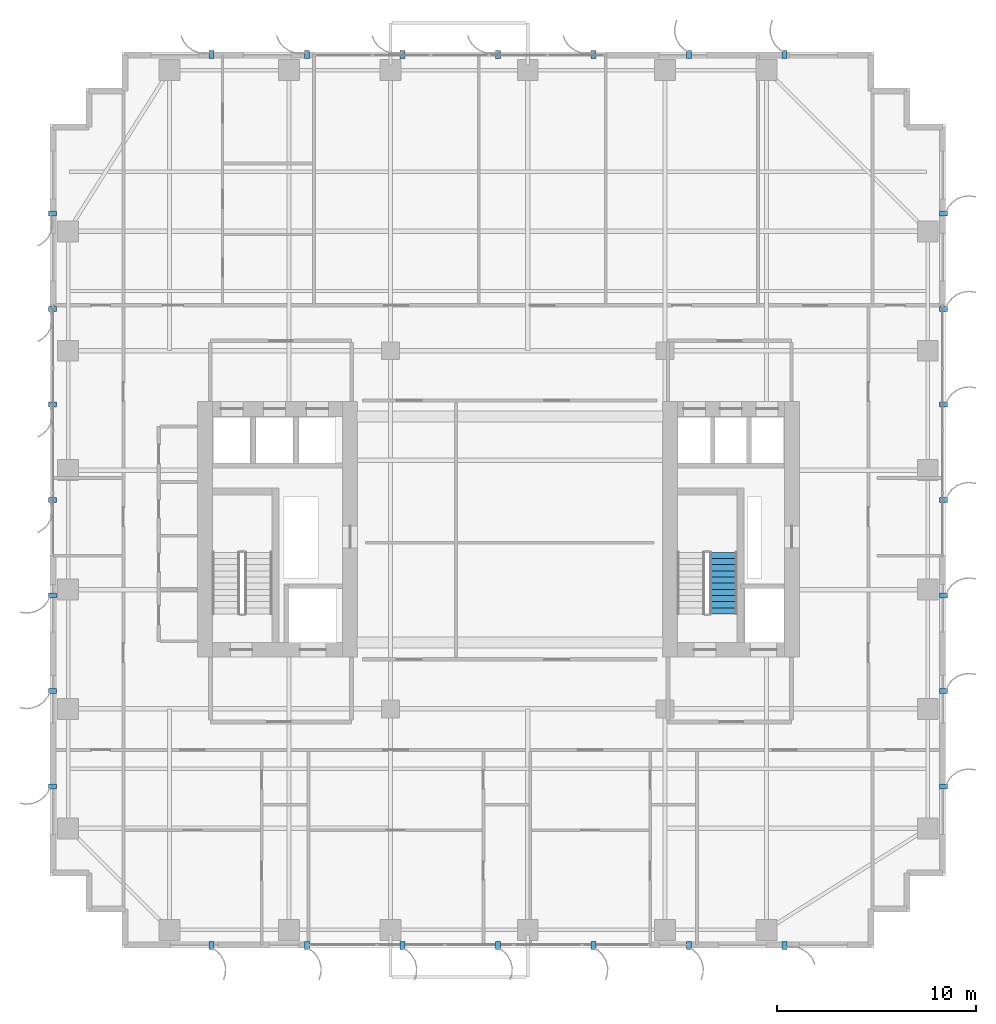
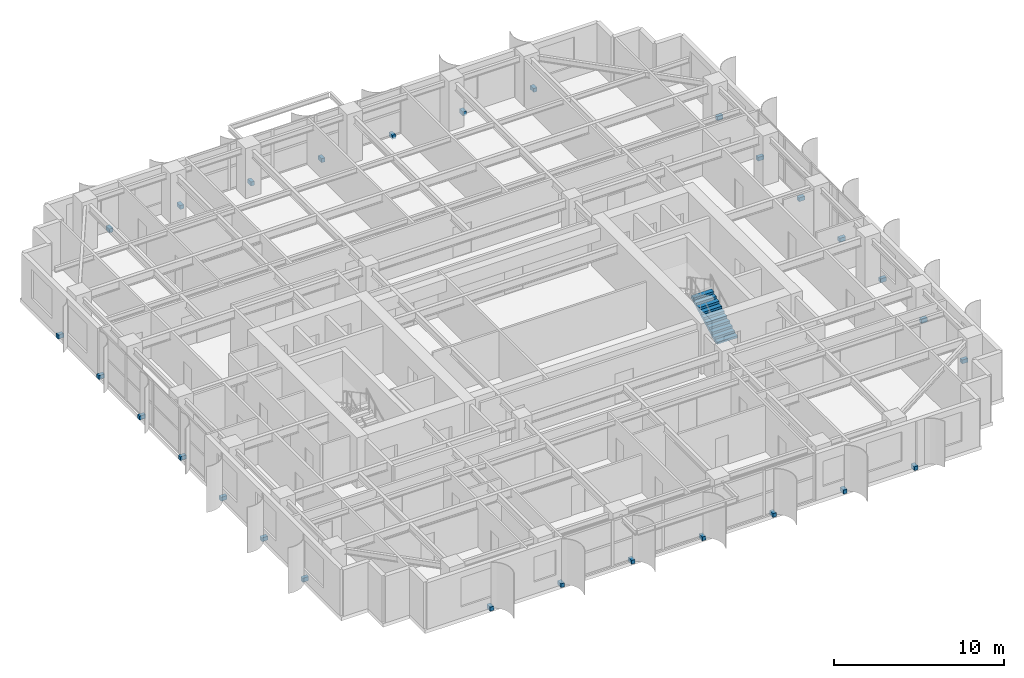
# One storey, part 24 of 27: 28 discrete accessories, 1 stair flight, 1 element without a shape of its own.
"""IFC4 building model written with IfcOpenShell, lengths in metres."""

from ifc_helpers import new_model, si_unit, direction, frame, origin, origin_2d, place, context, subcontext, project, spatial, polyline, rectangle, outline, extrude, source, transform, mapped, material, type_object, element, aggregate, save


model = new_model("IFC4")

# Units and contexts
model_context = context("Model", 3, precision=1e-05, world=origin(), true_north=direction((0.0, 1.0)))
body_context = subcontext(model_context, "Body", "Model", "MODEL_VIEW")
ifc_project = project(units=[si_unit("LENGTHUNIT", "METRE"), si_unit("AREAUNIT", "SQUARE_METRE"), si_unit("VOLUMEUNIT", "CUBIC_METRE"), si_unit("PLANEANGLEUNIT", "RADIAN"), si_unit("MASSUNIT", "GRAM", prefix="KILO")], contexts=[model_context])

# Site, building, storey
site_placement = place(None, origin())
site = spatial("IfcSite", under=ifc_project, at=site_placement, CompositionType="ELEMENT")
building_placement = place(site_placement, origin())
building = spatial("IfcBuilding", under=site, at=building_placement, Name="Khoralis Quay Care Tower", CompositionType="ELEMENT")
storey_placement = place(building_placement, frame((0.0, 0.0, 105.300048828125)))
storey = spatial("IfcBuildingStorey", under=building, at=storey_placement, Name="L27", CompositionType="ELEMENT", Elevation=105.300048828125)

# Stair, stair flight
ifc_material_1 = material(Name="Precast concrete C45/55", Category="concrete")
stair_type = type_object("IfcStairType", Name="ST-TWR-DOGLEG-1400", PredefinedType="HALF_TURN_STAIR", material=ifc_material_1)
stair_placement = place(storey_placement, origin())
stair = element("IfcStair", 1, at=stair_placement, inside=storey, type_object=stair_type, Name="L27 East Core Exit Stair ST-T2", PredefinedType="HALF_TURN_STAIR")
stair_flight_type = type_object("IfcStairFlightType", Name="SF-TWR-1400", PredefinedType="STRAIGHT", material=ifc_material_1)
shared_shape_1 = source(origin(), body_context, "Body", "SweptSolid", [
    extrude(outline(polyline([(0.0, 0.0), (0.0, 0.16357421875), (0.31005859375, 0.16357421875), (0.31005859375, 0.327392578125), (0.6201171875, 0.327392578125), (0.6201171875, 0.490966796875), (0.929931640625, 0.490966796875), (0.929931640625, 0.654541015625), (1.239990234375, 0.654541015625), (1.239990234375, 0.818115234375), (1.550048828125, 0.818115234375), (1.550048828125, 0.98193359375), (1.860107421875, 0.98193359375), (1.860107421875, 1.1455078125), (2.169921875, 1.1455078125), (2.169921875, 1.30908203125), (2.47998046875, 1.30908203125), (2.47998046875, 1.47265625), (2.7900390625, 1.47265625), (2.7900390625, 1.636474609375), (3.10009765625, 1.636474609375), (3.10009765625, 1.800048828125), (3.10009765625, 1.466796875), (0.321044921875, 0.0), (0.0, 0.0)])), frame((0.0, 0.68994140625, 0.0), z_axis=(0.0, -1.0, 0.0), x_axis=(1.0, 0.0, 0.0)), (0.0, 0.0, 1.0), 1.3798828125),
])
stair_flight_placement = place(storey_placement, frame((33.830078125, 16.77001953125, 0.0), z_axis=(0.0, 0.0, 1.0), x_axis=(0.0, 1.0, 0.0)))
stair_flight = element("IfcStairFlight", 2, at=stair_flight_placement, type_object=stair_flight_type, Name="ST-T2 flight 1", NumberOfRisers=11, NumberOfTreads=10, PredefinedType="STRAIGHT", RiserHeight=0.163636364, TreadLength=0.31, context=body_context, shape_type="MappedRepresentation", body=[
    mapped(shared_shape_1, transform((0.0, 0.0, 0.0), scale=1.0)),
])
aggregate(stair, [stair_flight])

# Discrete accessories
ifc_material_2 = material(Name="Brushed stainless steel", Category="steel")
discrete_accessory_type = type_object("IfcDiscreteAccessoryType", Name="ACC-FIN-BRACKET", PredefinedType="BRACKET", material=ifc_material_2)
shared_shape_2 = source(origin(), body_context, "Body", "SweptSolid", [
    extrude(rectangle(XDim=0.39990234375, YDim=0.239990234375, at=origin_2d()), origin(), (0.0, 0.0, 1.0), 0.280029296875),
])
for number, where, z_axis, x_axis, name in (
    (3, (8.10009765625, 0.110107421875, -0.1201171875), (0.0, 0.0, 1.0), (0.0, -1.0, 0.0), "L27 Solar Fin Bracket P1E0-01"),
    (4, (12.89990234375, 0.110107421875, -0.1201171875), (0.0, 0.0, 1.0), (0.0, -1.0, 0.0), "L27 Solar Fin Bracket P1E0-02"),
    (5, (17.699951171875, 0.110107421875, -0.1201171875), (0.0, 0.0, 1.0), (0.0, -1.0, 0.0), "L27 Solar Fin Bracket P1E0-03"),
    (6, (22.5, 0.110107421875, -0.1201171875), (0.0, 0.0, 1.0), (0.0, -1.0, 0.0), "L27 Solar Fin Bracket P1E0-04"),
    (7, (27.300048828125, 0.110107421875, -0.1201171875), (0.0, 0.0, 1.0), (0.0, -1.0, 0.0), "L27 Solar Fin Bracket P1E0-05"),
    (8, (32.10009765625, 0.110107421875, -0.1201171875), (0.0, 0.0, 1.0), (0.0, -1.0, 0.0), "L27 Solar Fin Bracket P1E0-06"),
    (9, (36.89990234375, 0.110107421875, -0.1201171875), (0.0, 0.0, 1.0), (0.0, -1.0, 0.0), "L27 Solar Fin Bracket P1E0-07"),
    (10, (44.889892578125, 8.10009765625, -0.1201171875), (0.0, 0.0, 1.0), (1.0, 0.0, 0.0), "L27 Solar Fin Bracket P1E5-01"),
    (11, (44.889892578125, 12.89990234375, -0.1201171875), (0.0, 0.0, 1.0), (1.0, 0.0, 0.0), "L27 Solar Fin Bracket P1E5-02"),
    (12, (44.889892578125, 17.699951171875, -0.1201171875), (0.0, 0.0, 1.0), (1.0, 0.0, 0.0), "L27 Solar Fin Bracket P1E5-03"),
    (13, (44.889892578125, 22.5, -0.1201171875), (0.0, 0.0, 1.0), (1.0, 0.0, 0.0), "L27 Solar Fin Bracket P1E5-04"),
    (14, (44.889892578125, 27.300048828125, -0.1201171875), (0.0, 0.0, 1.0), (1.0, 0.0, 0.0), "L27 Solar Fin Bracket P1E5-05"),
    (15, (44.889892578125, 32.10009765625, -0.1201171875), (0.0, 0.0, 1.0), (1.0, 0.0, 0.0), "L27 Solar Fin Bracket P1E5-06"),
    (16, (44.889892578125, 36.89990234375, -0.1201171875), (0.0, 0.0, 1.0), (1.0, 0.0, 0.0), "L27 Solar Fin Bracket P1E5-07"),
    (17, (36.89990234375, 44.889892578125, -0.1201171875), (0.0, 0.0, 1.0), (0.0, 1.0, 0.0), "L27 Solar Fin Bracket P1E10-01"),
    (18, (32.10009765625, 44.889892578125, -0.1201171875), (0.0, 0.0, 1.0), (0.0, 1.0, 0.0), "L27 Solar Fin Bracket P1E10-02"),
    (19, (27.300048828125, 44.889892578125, -0.1201171875), (0.0, 0.0, 1.0), (0.0, 1.0, 0.0), "L27 Solar Fin Bracket P1E10-03"),
    (20, (22.5, 44.889892578125, -0.1201171875), (0.0, 0.0, 1.0), (0.0, 1.0, 0.0), "L27 Solar Fin Bracket P1E10-04"),
    (21, (17.699951171875, 44.889892578125, -0.1201171875), (0.0, 0.0, 1.0), (0.0, 1.0, 0.0), "L27 Solar Fin Bracket P1E10-05"),
    (22, (12.89990234375, 44.889892578125, -0.1201171875), (0.0, 0.0, 1.0), (0.0, 1.0, 0.0), "L27 Solar Fin Bracket P1E10-06"),
    (23, (8.10009765625, 44.889892578125, -0.1201171875), (0.0, 0.0, 1.0), (0.0, 1.0, 0.0), "L27 Solar Fin Bracket P1E10-07"),
    (24, (0.110107421875, 36.89990234375, -0.1201171875), (0.0, 0.0, 1.0), (-1.0, 0.0, 0.0), "L27 Solar Fin Bracket P1E15-01"),
    (25, (0.110107421875, 32.10009765625, -0.1201171875), (0.0, 0.0, 1.0), (-1.0, 0.0, 0.0), "L27 Solar Fin Bracket P1E15-02"),
    (26, (0.110107421875, 27.300048828125, -0.1201171875), (0.0, 0.0, 1.0), (-1.0, 0.0, 0.0), "L27 Solar Fin Bracket P1E15-03"),
    (27, (0.110107421875, 22.5, -0.1201171875), (0.0, 0.0, 1.0), (-1.0, 0.0, 0.0), "L27 Solar Fin Bracket P1E15-04"),
    (28, (0.110107421875, 17.699951171875, -0.1201171875), (0.0, 0.0, 1.0), (-1.0, 0.0, 0.0), "L27 Solar Fin Bracket P1E15-05"),
    (29, (0.110107421875, 12.89990234375, -0.1201171875), (0.0, 0.0, 1.0), (-1.0, 0.0, 0.0), "L27 Solar Fin Bracket P1E15-06"),
    (30, (0.110107421875, 8.10009765625, -0.1201171875), (0.0, 0.0, 1.0), (-1.0, 0.0, 0.0), "L27 Solar Fin Bracket P1E15-07"),
):
    element("IfcDiscreteAccessory", number, at=place(storey_placement, frame(where, z_axis=z_axis, x_axis=x_axis)), inside=storey, type_object=discrete_accessory_type, Name=name, PredefinedType="BRACKET", context=body_context, shape_type="MappedRepresentation", body=[
        mapped(shared_shape_2, transform((0.0, 0.0, 0.0), scale=1.0)),
    ])

save(model, "model.ifc")
